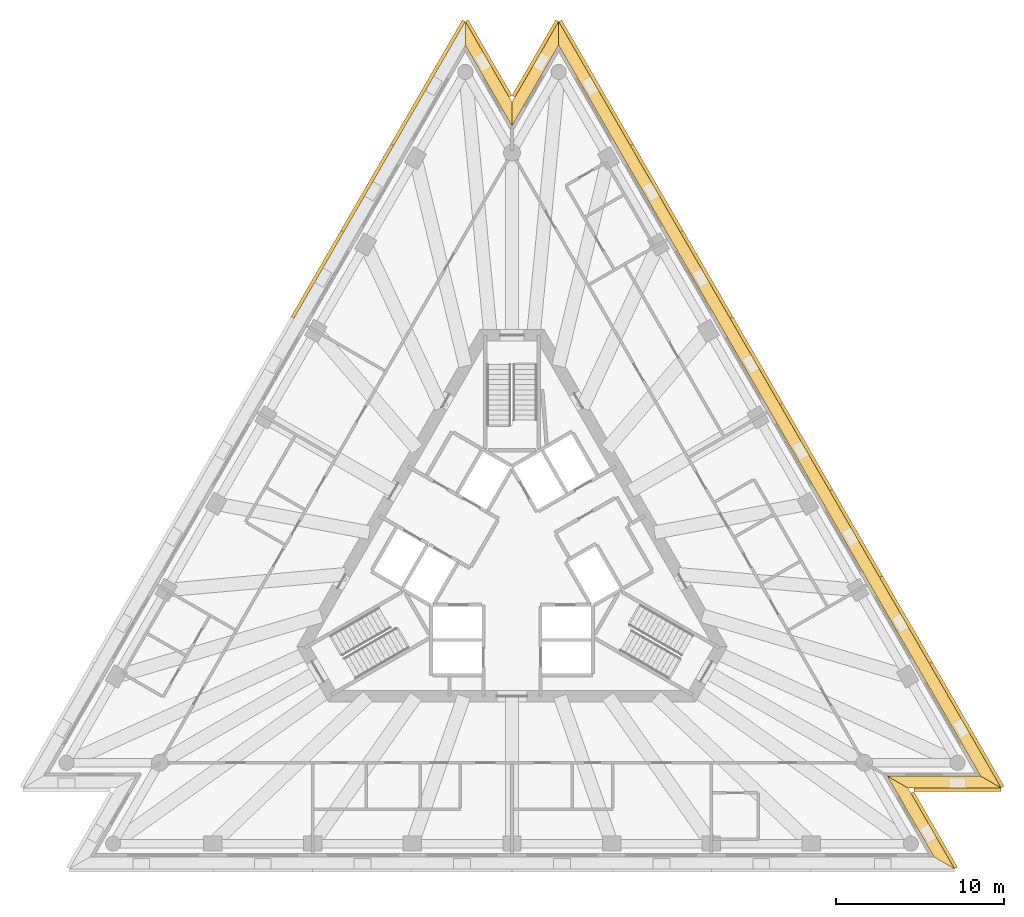
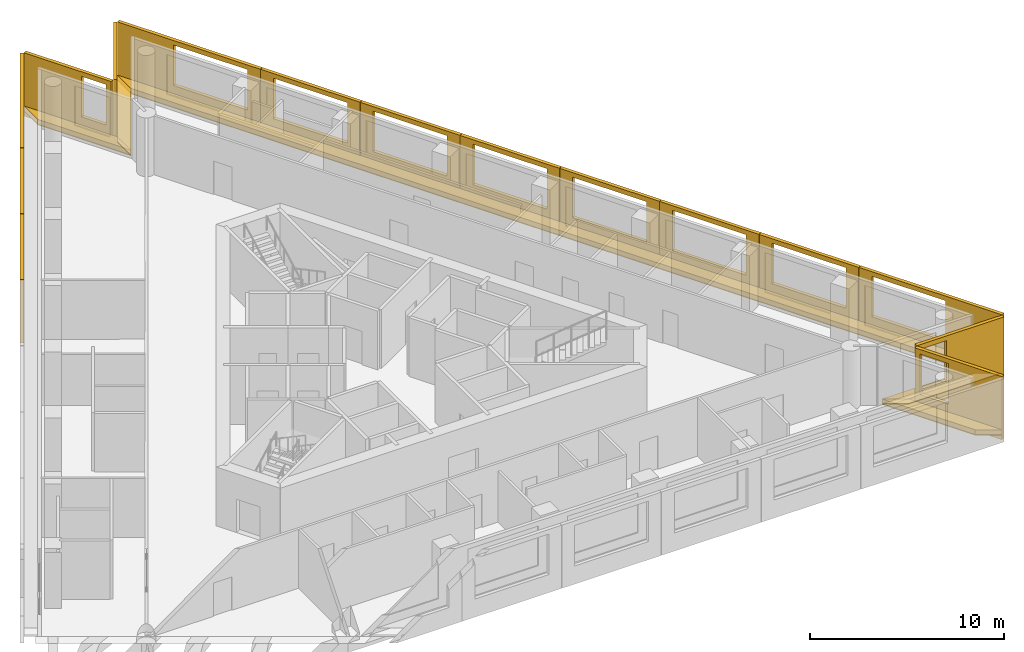
# One storey, part 9 of 9: 20 shading devices, 5 coverings.
"""IFC4 building model written with IfcOpenShell, lengths in metres."""

from ifc_helpers import new_model, si_unit, direction, frame, origin, place, context, subcontext, project, spatial, polyline, outline, extrude, material, layer, layer_set, layer_usage, type_object, element, save


model = new_model("IFC4")

# Units and contexts
model_context = context("Model", 3, precision=1e-05, world=origin(), true_north=direction((0.0, 1.0)))
body_context = subcontext(model_context, "Body", "Model", "MODEL_VIEW")
ifc_project = project(units=[si_unit("LENGTHUNIT", "METRE"), si_unit("AREAUNIT", "SQUARE_METRE"), si_unit("VOLUMEUNIT", "CUBIC_METRE"), si_unit("PLANEANGLEUNIT", "RADIAN"), si_unit("MASSUNIT", "GRAM", prefix="KILO")], contexts=[model_context])

# Site, building, storey
site_placement = place(None, origin())
site = spatial("IfcSite", under=ifc_project, at=site_placement, CompositionType="ELEMENT")
building_placement = place(site_placement, origin())
building = spatial("IfcBuilding", under=site, at=building_placement, Name="Triada Interchange Tower", CompositionType="ELEMENT")
storey_placement = place(building_placement, frame((0.0, 0.0, 235.300048828125)))
storey = spatial("IfcBuildingStorey", under=building, at=storey_placement, Name="L55", CompositionType="ELEMENT", Elevation=235.300048828125)

# Coverings
ifc_material_1 = material(Name="Mineral fire-stop board")
ifc_layer_1 = layer(ifc_material_1, 0.0400390625, Name="Mineral fire-stop board")
ifc_material_2 = material(Name="Intumescent sealant")
ifc_layer_2 = layer(ifc_material_2, 0.010009765625, Name="Intumescent seal")
ifc_layer_set_1 = layer_set([ifc_layer_1, ifc_layer_2], Name="Cavity fire stop")
ifc_layer_usage = layer_usage(ifc_layer_set_1, "AXIS3", "POSITIVE", 0.0)
covering_type = type_object("IfcCoveringType", Name="Cavity fire stop", PredefinedType="INSULATION", material=ifc_layer_set_1)
covering_1_placement = place(storey_placement, origin())
element("IfcCovering", 1, at=covering_1_placement, inside=storey, type_object=covering_type, material=ifc_layer_usage, Name="Cavity fire stop L55 SE-1", PredefinedType="INSULATION", context=body_context, shape_type="SweptSolid", body=[
    extrude(outline(polyline([(25.132080078125, -17.717041015625), (26.343994140625, -18.4169921875), (23.56689453125, -13.60595703125), (22.35498046875, -12.906005859375), (25.132080078125, -17.717041015625)])), origin(), (0.0, 0.0, 1.0), 0.050048828125),
])
covering_2_placement = place(storey_placement, origin())
element("IfcCovering", 2, at=covering_2_placement, inside=storey, type_object=covering_type, material=ifc_layer_usage, Name="Cavity fire stop L55 SE-2", PredefinedType="INSULATION", context=body_context, shape_type="SweptSolid", body=[
    extrude(outline(polyline([(22.35498046875, -12.906005859375), (23.56689453125, -13.60595703125), (29.1220703125, -13.60595703125), (27.909912109375, -12.906005859375), (22.35498046875, -12.906005859375)])), origin(), (0.0, 0.0, 1.0), 0.050048828125),
])
covering_3_placement = place(storey_placement, origin())
element("IfcCovering", 3, at=covering_3_placement, inside=storey, type_object=covering_type, material=ifc_layer_usage, Name="Cavity fire stop L55 NE", PredefinedType="INSULATION", context=body_context, shape_type="SweptSolid", body=[
    extrude(outline(polyline([(27.909912109375, -12.906005859375), (29.1220703125, -13.60595703125), (2.777099609375, 32.02294921875), (2.777099609375, 30.623046875), (27.909912109375, -12.906005859375)])), origin(), (0.0, 0.0, 1.0), 0.050048828125),
])
covering_4_placement = place(storey_placement, origin())
element("IfcCovering", 4, at=covering_4_placement, inside=storey, type_object=covering_type, material=ifc_layer_usage, Name="Cavity fire stop L55 N-1", PredefinedType="INSULATION", context=body_context, shape_type="SweptSolid", body=[
    extrude(outline(polyline([(2.777099609375, 30.623046875), (2.777099609375, 32.02294921875), (0.0, 27.212890625), (0.0, 25.81298828125), (2.777099609375, 30.623046875)])), origin(), (0.0, 0.0, 1.0), 0.050048828125),
])
covering_5_placement = place(storey_placement, origin())
element("IfcCovering", 5, at=covering_5_placement, inside=storey, type_object=covering_type, material=ifc_layer_usage, Name="Cavity fire stop L55 N-2", PredefinedType="INSULATION", context=body_context, shape_type="SweptSolid", body=[
    extrude(outline(polyline([(0.0, 25.81298828125), (0.0, 27.212890625), (-2.777099609375, 32.02294921875), (-2.777099609375, 30.623046875), (0.0, 25.81298828125)])), origin(), (0.0, 0.0, 1.0), 0.050048828125),
])

# Shading devices
ifc_material_3 = material(Name="Aluminium louvre", Category="aluminium")
shading_device_type_1 = type_object("IfcShadingDeviceType", Name="Cavity louvre grille", PredefinedType="JALOUSIE", material=ifc_material_3)
shading_device_1_placement = place(storey_placement, frame((0.0, 0.0, 0.050048828125)))
element("IfcShadingDevice", 6, at=shading_device_1_placement, inside=storey, type_object=shading_device_type_1, Name="Cavity louvre grille L55 SE-1", PredefinedType="JALOUSIE", context=body_context, shape_type="SweptSolid", body=[
    extrude(outline(polyline([(25.132080078125, -17.717041015625), (26.343994140625, -18.4169921875), (23.56689453125, -13.60595703125), (22.35498046875, -12.906005859375), (25.132080078125, -17.717041015625)])), origin(), (0.0, 0.0, 1.0), 0.2998046875),
])
shading_device_2_placement = place(storey_placement, frame((0.0, 0.0, 0.050048828125)))
element("IfcShadingDevice", 7, at=shading_device_2_placement, inside=storey, type_object=shading_device_type_1, Name="Cavity louvre grille L55 SE-2", PredefinedType="JALOUSIE", context=body_context, shape_type="SweptSolid", body=[
    extrude(outline(polyline([(22.35498046875, -12.906005859375), (23.56689453125, -13.60595703125), (29.1220703125, -13.60595703125), (27.909912109375, -12.906005859375), (22.35498046875, -12.906005859375)])), origin(), (0.0, 0.0, 1.0), 0.2998046875),
])
shading_device_3_placement = place(storey_placement, frame((0.0, 0.0, 0.050048828125)))
element("IfcShadingDevice", 8, at=shading_device_3_placement, inside=storey, type_object=shading_device_type_1, Name="Cavity louvre grille L55 NE", PredefinedType="JALOUSIE", context=body_context, shape_type="SweptSolid", body=[
    extrude(outline(polyline([(27.909912109375, -12.906005859375), (29.1220703125, -13.60595703125), (2.777099609375, 32.02294921875), (2.777099609375, 30.623046875), (27.909912109375, -12.906005859375)])), origin(), (0.0, 0.0, 1.0), 0.2998046875),
])
shading_device_4_placement = place(storey_placement, frame((0.0, 0.0, 0.050048828125)))
element("IfcShadingDevice", 9, at=shading_device_4_placement, inside=storey, type_object=shading_device_type_1, Name="Cavity louvre grille L55 N-1", PredefinedType="JALOUSIE", context=body_context, shape_type="SweptSolid", body=[
    extrude(outline(polyline([(2.777099609375, 30.623046875), (2.777099609375, 32.02294921875), (0.0, 27.212890625), (0.0, 25.81298828125), (2.777099609375, 30.623046875)])), origin(), (0.0, 0.0, 1.0), 0.2998046875),
])
shading_device_5_placement = place(storey_placement, frame((0.0, 0.0, 0.050048828125)))
element("IfcShadingDevice", 10, at=shading_device_5_placement, inside=storey, type_object=shading_device_type_1, Name="Cavity louvre grille L55 N-2", PredefinedType="JALOUSIE", context=body_context, shape_type="SweptSolid", body=[
    extrude(outline(polyline([(0.0, 25.81298828125), (0.0, 27.212890625), (-2.777099609375, 32.02294921875), (-2.777099609375, 30.623046875), (0.0, 25.81298828125)])), origin(), (0.0, 0.0, 1.0), 0.2998046875),
])
ifc_material_4 = material(Name="Concrete C50/60 precast", Category="concrete")
ifc_layer_3 = layer(ifc_material_4, 0.02001953125, Name="Exposed aggregate face")
ifc_layer_4 = layer(ifc_material_4, 0.179931640625, Name="Precast concrete screen")
ifc_layer_set_2 = layer_set([ifc_layer_3, ifc_layer_4], Name="Outer skin screen panel 3980")
shading_device_type_2 = type_object("IfcShadingDeviceType", Name="Outer skin screen panel 3980", PredefinedType="SHUTTER", material=ifc_layer_set_2)
shading_device_6_placement = place(storey_placement, frame((-2.781982421875, 32.013916015625, -0.2900390625), z_axis=(0.0, 0.0, 1.0), x_axis=(-0.500034394802, -0.866005545026, 0.0)))
element("IfcShadingDevice", 11, at=shading_device_6_placement, inside=storey, type_object=shading_device_type_2, Name="Outer skin screen panel L55 01", PredefinedType="SHUTTER", context=body_context, shape_type="SweptSolid", body=[
    extrude(outline(polyline([(0.0, 0.0), (8.513671875, 0.0), (8.513671875, 3.97998046875), (0.0, 3.97998046875), (0.0, 0.0)]), holes=[polyline([(3.356689453125, 1.139892578125), (3.356689453125, 3.68994140625), (7.756591796875, 3.68994140625), (7.756591796875, 1.139892578125), (3.356689453125, 1.139892578125)])]), frame((0.0, 0.0, 0.0), z_axis=(0.0, -1.0, 0.0), x_axis=(1.0, 0.0, 0.0)), (0.0, 0.0, 1.0), 0.199951171875),
])
shading_device_7_placement = place(storey_placement, frame((-7.049072265625, 24.623046875, -0.2900390625), z_axis=(0.0, 0.0, 1.0), x_axis=(-0.500079606793, -0.865979437902, 0.0)))
element("IfcShadingDevice", 12, at=shading_device_7_placement, inside=storey, type_object=shading_device_type_2, Name="Outer skin screen panel L55 02", PredefinedType="SHUTTER", context=body_context, shape_type="SweptSolid", body=[
    extrude(outline(polyline([(0.0, 0.0), (5.9169921875, 0.0), (5.9169921875, 3.97998046875), (0.0, 3.97998046875), (0.0, 0.0)]), holes=[polyline([(0.758056640625, 1.139892578125), (0.758056640625, 3.68994140625), (5.157958984375, 3.68994140625), (5.157958984375, 1.139892578125), (0.758056640625, 1.139892578125)])]), frame((0.0, 0.0, 0.0), z_axis=(0.0, -1.0, 0.0), x_axis=(1.0, 0.0, 0.0)), (0.0, 0.0, 1.0), 0.199951171875),
])
shading_device_8_placement = place(storey_placement, frame((-10.01806640625, 19.48193359375, -0.2900390625), z_axis=(0.0, 0.0, 1.0), x_axis=(-0.499955822529, -0.866050908157, 0.0)))
element("IfcShadingDevice", 13, at=shading_device_8_placement, inside=storey, type_object=shading_device_type_2, Name="Outer skin screen panel L55 03", PredefinedType="SHUTTER", context=body_context, shape_type="SweptSolid", body=[
    extrude(outline(polyline([(0.0, 0.0), (5.91650390625, 0.0), (5.91650390625, 3.97998046875), (0.0, 3.97998046875), (0.0, 0.0)]), holes=[polyline([(0.758544921875, 1.139892578125), (0.758544921875, 3.68994140625), (5.158447265625, 3.68994140625), (5.158447265625, 1.139892578125), (0.758544921875, 1.139892578125)])]), frame((0.0, 0.0, 0.0), z_axis=(0.0, -1.0, 0.0), x_axis=(1.0, 0.0, 0.0)), (0.0, 0.0, 1.0), 0.199951171875),
])
shading_device_9_placement = place(storey_placement, frame((26.339111328125, -18.407958984375, -0.2900390625), z_axis=(0.0, 0.0, 1.0), x_axis=(-0.499919314206, 0.866071982738, 0.0)))
element("IfcShadingDevice", 14, at=shading_device_9_placement, inside=storey, type_object=shading_device_type_2, Name="Outer skin screen panel L55 19", PredefinedType="SHUTTER", context=body_context, shape_type="SweptSolid", body=[
    extrude(outline(polyline([(0.0, 0.0), (5.188720703125, 0.0), (5.188720703125, 3.97998046875), (0.0, 3.97998046875), (0.0, 0.0)]), holes=[polyline([(3.17529296875, 1.139892578125), (3.17529296875, 3.68994140625), (4.888916015625, 3.68994140625), (4.888916015625, 1.139892578125), (3.17529296875, 1.139892578125)])]), frame((0.0, 0.0, 0.0), z_axis=(0.0, -1.0, 0.0), x_axis=(1.0, 0.0, 0.0)), (0.0, 0.0, 1.0), 0.199951171875),
])
shading_device_10_placement = place(storey_placement, frame((23.923095703125, -13.60595703125, -0.2900390625), z_axis=(0.0, 0.0, 1.0), x_axis=(1.0, 0.0, 0.0)))
element("IfcShadingDevice", 15, at=shading_device_10_placement, inside=storey, type_object=shading_device_type_2, Name="Outer skin screen panel L55 20", PredefinedType="SHUTTER", context=body_context, shape_type="SweptSolid", body=[
    extrude(outline(polyline([(0.0, 0.0), (5.18896484375, 0.0), (5.18896484375, 3.97998046875), (0.0, 3.97998046875), (0.0, 0.0)]), holes=[polyline([(0.300048828125, 1.139892578125), (0.300048828125, 3.68994140625), (1.759033203125, 3.68994140625), (1.759033203125, 1.139892578125), (0.300048828125, 1.139892578125)])]), frame((0.0, 0.0, 0.0), z_axis=(0.0, -1.0, 0.0), x_axis=(1.0, 0.0, 0.0)), (0.0, 0.0, 1.0), 0.199951171875),
])
shading_device_11_placement = place(storey_placement, frame((29.116943359375, -13.596923828125, -0.2900390625), z_axis=(0.0, 0.0, 1.0), x_axis=(-0.499950805595, 0.866053804324, 0.0)))
element("IfcShadingDevice", 16, at=shading_device_11_placement, inside=storey, type_object=shading_device_type_2, Name="Outer skin screen panel L55 21", PredefinedType="SHUTTER", context=body_context, shape_type="SweptSolid", body=[
    extrude(outline(polyline([(0.0, 0.0), (8.514404296875, 0.0), (8.514404296875, 3.97998046875), (0.0, 3.97998046875), (0.0, 0.0)]), holes=[polyline([(3.356201171875, 1.139892578125), (3.356201171875, 3.68994140625), (7.75634765625, 3.68994140625), (7.75634765625, 1.139892578125), (3.356201171875, 1.139892578125)])]), frame((0.0, 0.0, 0.0), z_axis=(0.0, -1.0, 0.0), x_axis=(1.0, 0.0, 0.0)), (0.0, 0.0, 1.0), 0.199951171875),
])
shading_device_12_placement = place(storey_placement, frame((24.85009765625, -6.2060546875, -0.2900390625), z_axis=(0.0, 0.0, 1.0), x_axis=(-0.500079606793, 0.865979437902, 0.0)))
element("IfcShadingDevice", 17, at=shading_device_12_placement, inside=storey, type_object=shading_device_type_2, Name="Outer skin screen panel L55 22", PredefinedType="SHUTTER", context=body_context, shape_type="SweptSolid", body=[
    extrude(outline(polyline([(0.0, 0.0), (5.9169921875, 0.0), (5.9169921875, 3.97998046875), (0.0, 3.97998046875), (0.0, 0.0)]), holes=[polyline([(0.7587890625, 1.139892578125), (0.7587890625, 3.68994140625), (5.15869140625, 3.68994140625), (5.15869140625, 1.139892578125), (0.7587890625, 1.139892578125)])]), frame((0.0, 0.0, 0.0), z_axis=(0.0, -1.0, 0.0), x_axis=(1.0, 0.0, 0.0)), (0.0, 0.0, 1.0), 0.199951171875),
])
shading_device_13_placement = place(storey_placement, frame((21.881103515625, -1.06494140625, -0.2900390625), z_axis=(0.0, 0.0, 1.0), x_axis=(-0.499955822529, 0.866050908157, 0.0)))
element("IfcShadingDevice", 18, at=shading_device_13_placement, inside=storey, type_object=shading_device_type_2, Name="Outer skin screen panel L55 23", PredefinedType="SHUTTER", context=body_context, shape_type="SweptSolid", body=[
    extrude(outline(polyline([(0.0, 0.0), (5.91650390625, 0.0), (5.91650390625, 3.97998046875), (0.0, 3.97998046875), (0.0, 0.0)]), holes=[polyline([(0.75830078125, 1.139892578125), (0.75830078125, 3.68994140625), (5.158203125, 3.68994140625), (5.158203125, 1.139892578125), (0.75830078125, 1.139892578125)])]), frame((0.0, 0.0, 0.0), z_axis=(0.0, -1.0, 0.0), x_axis=(1.0, 0.0, 0.0)), (0.0, 0.0, 1.0), 0.199951171875),
])
shading_device_14_placement = place(storey_placement, frame((18.9130859375, 4.075927734375, -0.2900390625), z_axis=(0.0, 0.0, 1.0), x_axis=(-0.499955822529, 0.866050908157, 0.0)))
element("IfcShadingDevice", 19, at=shading_device_14_placement, inside=storey, type_object=shading_device_type_2, Name="Outer skin screen panel L55 24", PredefinedType="SHUTTER", context=body_context, shape_type="SweptSolid", body=[
    extrude(outline(polyline([(0.0, 0.0), (5.91650390625, 0.0), (5.91650390625, 3.97998046875), (0.0, 3.97998046875), (0.0, 0.0)]), holes=[polyline([(0.758544921875, 1.139892578125), (0.758544921875, 3.68994140625), (5.15869140625, 3.68994140625), (5.15869140625, 1.139892578125), (0.758544921875, 1.139892578125)])]), frame((0.0, 0.0, 0.0), z_axis=(0.0, -1.0, 0.0), x_axis=(1.0, 0.0, 0.0)), (0.0, 0.0, 1.0), 0.199951171875),
])
shading_device_15_placement = place(storey_placement, frame((15.945068359375, 9.217041015625, -0.2900390625), z_axis=(0.0, 0.0, 1.0), x_axis=(-0.500079606793, 0.865979437902, 0.0)))
element("IfcShadingDevice", 20, at=shading_device_15_placement, inside=storey, type_object=shading_device_type_2, Name="Outer skin screen panel L55 25", PredefinedType="SHUTTER", context=body_context, shape_type="SweptSolid", body=[
    extrude(outline(polyline([(0.0, 0.0), (5.9169921875, 0.0), (5.9169921875, 3.97998046875), (0.0, 3.97998046875), (0.0, 0.0)]), holes=[polyline([(0.758056640625, 1.139892578125), (0.758056640625, 3.68994140625), (5.158203125, 3.68994140625), (5.158203125, 1.139892578125), (0.758056640625, 1.139892578125)])]), frame((0.0, 0.0, 0.0), z_axis=(0.0, -1.0, 0.0), x_axis=(1.0, 0.0, 0.0)), (0.0, 0.0, 1.0), 0.199951171875),
])
shading_device_16_placement = place(storey_placement, frame((12.97607421875, 14.35791015625, -0.2900390625), z_axis=(0.0, 0.0, 1.0), x_axis=(-0.499955822529, 0.866050908157, 0.0)))
element("IfcShadingDevice", 21, at=shading_device_16_placement, inside=storey, type_object=shading_device_type_2, Name="Outer skin screen panel L55 26", PredefinedType="SHUTTER", context=body_context, shape_type="SweptSolid", body=[
    extrude(outline(polyline([(0.0, 0.0), (5.91650390625, 0.0), (5.91650390625, 3.97998046875), (0.0, 3.97998046875), (0.0, 0.0)]), holes=[polyline([(0.758544921875, 1.139892578125), (0.758544921875, 3.68994140625), (5.15869140625, 3.68994140625), (5.15869140625, 1.139892578125), (0.758544921875, 1.139892578125)])]), frame((0.0, 0.0, 0.0), z_axis=(0.0, -1.0, 0.0), x_axis=(1.0, 0.0, 0.0)), (0.0, 0.0, 1.0), 0.199951171875),
])
shading_device_17_placement = place(storey_placement, frame((10.008056640625, 19.4990234375, -0.2900390625), z_axis=(0.0, 0.0, 1.0), x_axis=(-0.500079606793, 0.865979437902, 0.0)))
element("IfcShadingDevice", 22, at=shading_device_17_placement, inside=storey, type_object=shading_device_type_2, Name="Outer skin screen panel L55 27", PredefinedType="SHUTTER", context=body_context, shape_type="SweptSolid", body=[
    extrude(outline(polyline([(0.0, 0.0), (5.9169921875, 0.0), (5.9169921875, 3.97998046875), (0.0, 3.97998046875), (0.0, 0.0)]), holes=[polyline([(0.758056640625, 1.139892578125), (0.758056640625, 3.68994140625), (5.157958984375, 3.68994140625), (5.157958984375, 1.139892578125), (0.758056640625, 1.139892578125)])]), frame((0.0, 0.0, 0.0), z_axis=(0.0, -1.0, 0.0), x_axis=(1.0, 0.0, 0.0)), (0.0, 0.0, 1.0), 0.199951171875),
])
shading_device_18_placement = place(storey_placement, frame((7.0390625, 24.64111328125, -0.2900390625), z_axis=(0.0, 0.0, 1.0), x_axis=(-0.500034394802, 0.866005545026, 0.0)))
element("IfcShadingDevice", 23, at=shading_device_18_placement, inside=storey, type_object=shading_device_type_2, Name="Outer skin screen panel L55 28", PredefinedType="SHUTTER", context=body_context, shape_type="SweptSolid", body=[
    extrude(outline(polyline([(0.0, 0.0), (8.513671875, 0.0), (8.513671875, 3.97998046875), (0.0, 3.97998046875), (0.0, 0.0)]), holes=[polyline([(0.758544921875, 1.139892578125), (0.758544921875, 3.68994140625), (5.158447265625, 3.68994140625), (5.158447265625, 1.139892578125), (0.758544921875, 1.139892578125)])]), frame((0.0, 0.0, 0.0), z_axis=(0.0, -1.0, 0.0), x_axis=(1.0, 0.0, 0.0)), (0.0, 0.0, 1.0), 0.199951171875),
])
shading_device_19_placement = place(storey_placement, frame((2.77197265625, 32.013916015625, -0.2900390625), z_axis=(0.0, 0.0, 1.0), x_axis=(-0.500082331196, -0.865977864628, 0.0)))
element("IfcShadingDevice", 24, at=shading_device_19_placement, inside=storey, type_object=shading_device_type_2, Name="Outer skin screen panel L55 29", PredefinedType="SHUTTER", context=body_context, shape_type="SweptSolid", body=[
    extrude(outline(polyline([(0.0, 0.0), (5.187255859375, 0.0), (5.187255859375, 3.97998046875), (0.0, 3.97998046875), (0.0, 0.0)]), holes=[polyline([(3.175537109375, 1.139892578125), (3.175537109375, 3.68994140625), (4.8876953125, 3.68994140625), (4.8876953125, 1.139892578125), (3.175537109375, 1.139892578125)])]), frame((0.0, 0.0, 0.0), z_axis=(0.0, -1.0, 0.0), x_axis=(1.0, 0.0, 0.0)), (0.0, 0.0, 1.0), 0.199951171875),
])
shading_device_20_placement = place(storey_placement, frame((-0.177978515625, 27.52197265625, -0.2900390625), z_axis=(0.0, 0.0, 1.0), x_axis=(-0.500082331196, 0.865977864628, 0.0)))
element("IfcShadingDevice", 25, at=shading_device_20_placement, inside=storey, type_object=shading_device_type_2, Name="Outer skin screen panel L55 30", PredefinedType="SHUTTER", context=body_context, shape_type="SweptSolid", body=[
    extrude(outline(polyline([(0.0, 0.0), (5.187255859375, 0.0), (5.187255859375, 3.97998046875), (0.0, 3.97998046875), (0.0, 0.0)]), holes=[polyline([(0.300048828125, 1.139892578125), (0.300048828125, 3.68994140625), (1.7578125, 3.68994140625), (1.7578125, 1.139892578125), (0.300048828125, 1.139892578125)])]), frame((0.0, 0.0, 0.0), z_axis=(0.0, -1.0, 0.0), x_axis=(1.0, 0.0, 0.0)), (0.0, 0.0, 1.0), 0.199951171875),
])

save(model, "model.ifc")
